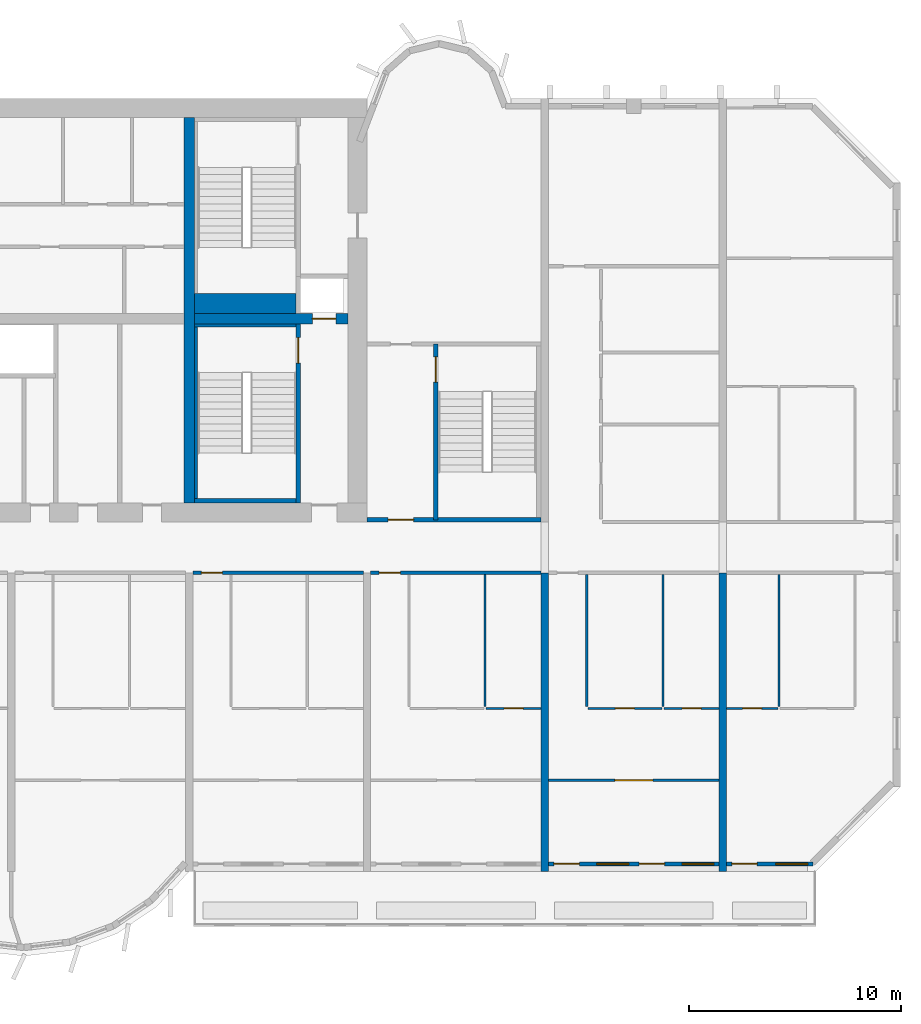
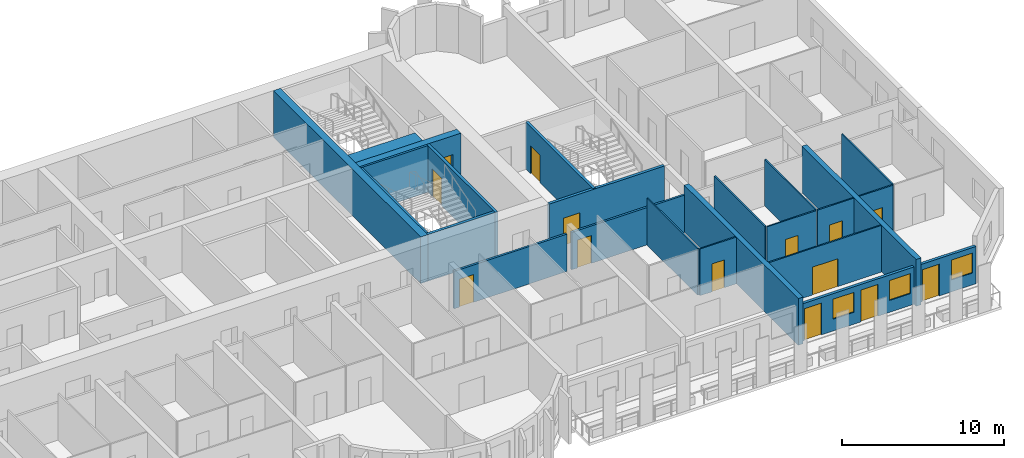
# One storey, part 9 of 15: 24 walls, 14 doors, 3 windows, 17 openings.
"""IFC4 building model written with IfcOpenShell, lengths in metres."""

from ifc_helpers import new_model, si_unit, direction, frame, frame_2d, origin, place, context, subcontext, project, spatial, rectangle, extrude, source, transform, mapped, material, layer, layer_set, type_object, element, fill, save


model = new_model("IFC4")

# Units and contexts
model_context = context("Model", 3, precision=1e-05, world=origin(), true_north=direction((0.0, 1.0)))
body_context = subcontext(model_context, "Body", "Model", "MODEL_VIEW")
ifc_project = project(units=[si_unit("LENGTHUNIT", "METRE"), si_unit("AREAUNIT", "SQUARE_METRE"), si_unit("VOLUMEUNIT", "CUBIC_METRE"), si_unit("PLANEANGLEUNIT", "RADIAN"), si_unit("MASSUNIT", "GRAM", prefix="KILO")], contexts=[model_context])

# Site, building, storey
site_placement = place(None, origin())
site = spatial("IfcSite", under=ifc_project, at=site_placement, CompositionType="ELEMENT")
building_placement = place(site_placement, origin())
building = spatial("IfcBuilding", under=site, at=building_placement, Name="Vanashikhar Sky Hotel", CompositionType="ELEMENT")
storey_placement = place(building_placement, frame((0.0, 0.0, 133.199951171875)))
storey = spatial("IfcBuildingStorey", under=building, at=storey_placement, Name="L32", CompositionType="ELEMENT", Elevation=133.199951171875)

# Wall
ifc_material_1 = material(Name="Concrete M70", Category="concrete")
ifc_layer_1 = layer(ifc_material_1, 0.5)
ifc_layer_set_1 = layer_set([ifc_layer_1], Name="RC core inner wall 500 Concrete M70")
wall_type_1 = type_object("IfcWallType", Name="RC core inner wall 500 Concrete M70", PredefinedType="SHEAR", material=ifc_layer_set_1)
shared_shape_1 = source(origin(), body_context, "Body", "SweptSolid", [
    extrude(rectangle(XDim=18.2001953125, YDim=0.5, at=frame_2d((9.10009765625, 0.0))), origin(), (0.0, 0.0, 1.0), 3.52001953125),
])
wall_1_placement = place(storey_placement, frame((67.199951171875, 22.89990234375, 0.0), z_axis=(0.0, 0.0, 1.0), x_axis=(0.0, 1.0, 0.0)))
element("IfcWall", 1, at=wall_1_placement, inside=storey, type_object=wall_type_1, Name="KW-L32-KX3", PredefinedType="SHEAR", context=body_context, shape_type="MappedRepresentation", body=[
    mapped(shared_shape_1, transform((0.0, 0.0, 0.0), scale=1.0)),
])

# Wall, opening, door
shared_shape_2 = source(origin(), body_context, "Body", "SweptSolid", [
    extrude(rectangle(XDim=7.25, YDim=0.5, at=frame_2d((3.625, 0.0))), origin(), (0.0, 0.0, 1.0), 3.52001953125),
])
wall_2_placement = place(storey_placement, frame((67.449951171875, 31.60009765625, 0.0), z_axis=(0.0, 0.0, 1.0), x_axis=(1.0, 0.0, 0.0)))
wall_2 = element("IfcWall", 2, at=wall_2_placement, inside=storey, type_object=wall_type_1, Name="KW-L32-KY4", PredefinedType="SHEAR", context=body_context, shape_type="MappedRepresentation", body=[
    mapped(shared_shape_2, transform((0.0, 0.0, 0.0), scale=1.0)),
])
shared_shape_3 = source(origin(), body_context, "Body", "SweptSolid", [
    extrude(rectangle(XDim=1.10009765625, YDim=2.10009765625, at=frame_2d((0.550048828125, 1.050048828125))), frame((0.0, 0.260009765625, 0.0), z_axis=(0.0, -1.0, 0.0), x_axis=(1.0, 0.0, 0.0)), (0.0, 0.0, 1.0), 0.52001953125),
])
opening_1_placement = place(wall_2_placement, frame((5.574951171875, 0.0, 0.0)))
opening_1 = element("IfcOpeningElement", 3, at=opening_1_placement, cuts=wall_2, Name="Opening LD", PredefinedType="OPENING", context=body_context, shape_type="MappedRepresentation", body=[
    mapped(shared_shape_3, transform((0.0, 0.0, 0.0), scale=1.0)),
])
ifc_material_2 = material(Name="Stainless steel", Category="steel")
door_type_1 = type_object("IfcDoorType", Name="Lift landing door 1100", OperationType="NOTDEFINED", PredefinedType="DOOR", material=ifc_material_2)
shared_shape_4 = source(origin(), body_context, "Body", "SweptSolid", [
    extrude(rectangle(XDim=1.10009765625, YDim=2.10009765625, at=frame_2d((0.550048828125, 1.050048828125))), frame((0.0, 0.02490234375, 0.0), z_axis=(0.0, -1.0, 0.0), x_axis=(1.0, 0.0, 0.0)), (0.0, 0.0, 1.0), 0.050048828125),
])
door_1_placement = place(opening_1_placement, origin())
door_1 = element("IfcDoor", 4, at=door_1_placement, inside=storey, type_object=door_type_1, Name="Lift landing door 1100", OperationType="SLIDING_TO_RIGHT", OverallHeight=2.10009765625, OverallWidth=1.10009765625, PredefinedType="DOOR", context=body_context, shape_type="MappedRepresentation", body=[
    mapped(shared_shape_4, transform((0.0, 0.0, 0.0), scale=1.0)),
])
fill(opening_1, door_1)

# Walls
ifc_layer_2 = layer(ifc_material_1, 0.35009765625)
ifc_layer_set_2 = layer_set([ifc_layer_2], Name="RC shear wall 350 Concrete M70")
wall_type_2 = type_object("IfcWallType", Name="RC shear wall 350 Concrete M70", PredefinedType="SHEAR", material=ifc_layer_set_2)
shared_shape_5 = source(origin(), body_context, "Body", "SweptSolid", [
    extrude(rectangle(XDim=14.10009765625, YDim=0.35009765625, at=frame_2d((7.050048828125, 0.0))), origin(), (0.0, 0.0, 1.0), 3.52001953125),
])
for number, where, z_axis, x_axis, name in (
    (5, (84.0, 5.5, 0.0), (0.0, 0.0, 1.0), (0.0, 1.0, 0.0), "CW-L32-XW11-1"),
    (6, (92.39990234375, 5.5, 0.0), (0.0, 0.0, 1.0), (0.0, 1.0, 0.0), "CW-L32-XW12-1"),
):
    element("IfcWall", number, at=place(storey_placement, frame(where, z_axis=z_axis, x_axis=x_axis)), inside=storey, type_object=wall_type_2, Name=name, PredefinedType="SHEAR", context=body_context, shape_type="MappedRepresentation", body=[
        mapped(shared_shape_5, transform((0.0, 0.0, 0.0), scale=1.0)),
    ])

# Wall, openings, window, door
ifc_material_3 = material(Name="Concrete M50", Category="concrete")
ifc_layer_3 = layer(ifc_material_3, 0.199951171875)
ifc_layer_set_3 = layer_set([ifc_layer_3], Name="Front window wall 200")
wall_type_3 = type_object("IfcWallType", Name="Front window wall 200", PredefinedType="SOLIDWALL", material=ifc_layer_set_3)
shared_shape_6 = source(origin(), body_context, "Body", "SweptSolid", [
    extrude(rectangle(XDim=4.080078125, YDim=0.199951171875, at=frame_2d((2.0400390625, 0.0))), origin(), (0.0, 0.0, 1.0), 2.820068359375),
])
wall_3_placement = place(storey_placement, frame((92.574951171875, 5.85009765625, 0.0), z_axis=(0.0, 0.0, 1.0), x_axis=(1.0, 0.0, 0.0)))
wall_3 = element("IfcWall", 7, at=wall_3_placement, inside=storey, type_object=wall_type_3, Name="Front window wall", PredefinedType="SOLIDWALL", context=body_context, shape_type="MappedRepresentation", body=[
    mapped(shared_shape_6, transform((0.0, 0.0, 0.0), scale=1.0)),
])
shared_shape_7 = source(origin(), body_context, "Body", "SweptSolid", [
    extrude(rectangle(XDim=1.199951171875, YDim=2.39990234375, at=frame_2d((0.60009765625, 1.199951171875))), frame((0.0, 0.10986328125, 0.0), z_axis=(0.0, -1.0, 0.0), x_axis=(1.0, 0.0, 0.0)), (0.0, 0.0, 1.0), 0.219970703125),
])
opening_2_placement = place(wall_3_placement, frame((0.25, 0.0, 0.0)))
opening_2 = element("IfcOpeningElement", 8, at=opening_2_placement, cuts=wall_3, Name="Opening BD-14", PredefinedType="OPENING", context=body_context, shape_type="MappedRepresentation", body=[
    mapped(shared_shape_7, transform((0.0, 0.0, 0.0), scale=1.0)),
])
shared_shape_8 = source(origin(), body_context, "Body", "SweptSolid", [
    extrude(rectangle(XDim=1.5, YDim=1.5, at=frame_2d((0.75, 0.75))), frame((0.0, 0.10986328125, 0.0), z_axis=(0.0, -1.0, 0.0), x_axis=(1.0, 0.0, 0.0)), (0.0, 0.0, 1.0), 0.219970703125),
])
opening_3_placement = place(wall_3_placement, frame((2.330078125, 0.0, 0.89990234375)))
opening_3 = element("IfcOpeningElement", 9, at=opening_3_placement, cuts=wall_3, Name="Opening WN-1", PredefinedType="OPENING", context=body_context, shape_type="MappedRepresentation", body=[
    mapped(shared_shape_8, transform((0.0, 0.0, 0.0), scale=1.0)),
])
ifc_material_4 = material(Name="Glass", Category="glass")
window_type = type_object("IfcWindowType", Name="Window 1500 x 1500", PartitioningType="SINGLE_PANEL", PredefinedType="WINDOW", material=ifc_material_4)
shared_shape_9 = source(origin(), body_context, "Body", "SweptSolid", [
    extrude(rectangle(XDim=1.5, YDim=1.5, at=frame_2d((0.75, 0.75))), frame((0.0, 0.030029296875, 0.0), z_axis=(0.0, -1.0, 0.0), x_axis=(1.0, 0.0, 0.0)), (0.0, 0.0, 1.0), 0.06005859375),
])
window_1_placement = place(opening_3_placement, origin())
window_1 = element("IfcWindow", 10, at=window_1_placement, inside=storey, type_object=window_type, Name="Window WN-1", OverallHeight=1.5, OverallWidth=1.5, PartitioningType="SINGLE_PANEL", PredefinedType="WINDOW", context=body_context, shape_type="MappedRepresentation", body=[
    mapped(shared_shape_9, transform((0.0, 0.0, 0.0), scale=1.0)),
])
fill(opening_3, window_1)
ifc_material_5 = material(Name="Aluminium", Category="aluminium")
door_type_2 = type_object("IfcDoorType", Name="Balcony sliding door 1200 x 2400", OperationType="NOTDEFINED", PredefinedType="DOOR", material=ifc_material_5)
shared_shape_10 = source(origin(), body_context, "Body", "SweptSolid", [
    extrude(rectangle(XDim=1.199951171875, YDim=2.39990234375, at=frame_2d((0.60009765625, 1.199951171875))), frame((0.0, 0.02490234375, 0.0), z_axis=(0.0, -1.0, 0.0), x_axis=(1.0, 0.0, 0.0)), (0.0, 0.0, 1.0), 0.050048828125),
])
door_2_placement = place(opening_2_placement, origin())
door_2 = element("IfcDoor", 11, at=door_2_placement, inside=storey, type_object=door_type_2, Name="Balcony sliding door", OperationType="SLIDING_TO_RIGHT", OverallHeight=2.39990234375, OverallWidth=1.199951171875, PredefinedType="DOOR", context=body_context, shape_type="MappedRepresentation", body=[
    mapped(shared_shape_10, transform((0.0, 0.0, 0.0), scale=1.0)),
])
fill(opening_2, door_2)

# Wall, openings, windows, doors
shared_shape_11 = source(origin(), body_context, "Body", "SweptSolid", [
    extrude(rectangle(XDim=8.050048828125, YDim=0.199951171875, at=frame_2d((4.02490234375, 0.0))), origin(), (0.0, 0.0, 1.0), 2.820068359375),
])
wall_4_placement = place(storey_placement, frame((84.175048828125, 5.85009765625, 0.0), z_axis=(0.0, 0.0, 1.0), x_axis=(1.0, 0.0, 0.0)))
wall_4 = element("IfcWall", 12, at=wall_4_placement, inside=storey, type_object=wall_type_3, Name="Front window wall", PredefinedType="SOLIDWALL", context=body_context, shape_type="MappedRepresentation", body=[
    mapped(shared_shape_11, transform((0.0, 0.0, 0.0), scale=1.0)),
])
opening_4_placement = place(wall_4_placement, frame((0.25, 0.0, 0.0)))
opening_4 = element("IfcOpeningElement", 13, at=opening_4_placement, cuts=wall_4, Name="Opening BD-12", PredefinedType="OPENING", context=body_context, shape_type="MappedRepresentation", body=[
    mapped(shared_shape_7, transform((0.0, 0.0, 0.0), scale=1.0)),
])
opening_5_placement = place(wall_4_placement, frame((2.27490234375, 0.0, 0.89990234375)))
opening_5 = element("IfcOpeningElement", 14, at=opening_5_placement, cuts=wall_4, Name="Opening WN-1", PredefinedType="OPENING", context=body_context, shape_type="MappedRepresentation", body=[
    mapped(shared_shape_8, transform((0.0, 0.0, 0.0), scale=1.0)),
])
opening_6_placement = place(wall_4_placement, frame((4.27490234375, 0.0, 0.0)))
opening_6 = element("IfcOpeningElement", 15, at=opening_6_placement, cuts=wall_4, Name="Opening BD-13", PredefinedType="OPENING", context=body_context, shape_type="MappedRepresentation", body=[
    mapped(shared_shape_7, transform((0.0, 0.0, 0.0), scale=1.0)),
])
opening_7_placement = place(wall_4_placement, frame((6.300048828125, 0.0, 0.89990234375)))
opening_7 = element("IfcOpeningElement", 16, at=opening_7_placement, cuts=wall_4, Name="Opening WN-1", PredefinedType="OPENING", context=body_context, shape_type="MappedRepresentation", body=[
    mapped(shared_shape_8, transform((0.0, 0.0, 0.0), scale=1.0)),
])
window_2_placement = place(opening_5_placement, origin())
window_2 = element("IfcWindow", 17, at=window_2_placement, inside=storey, type_object=window_type, Name="Window WN-1", OverallHeight=1.5, OverallWidth=1.5, PartitioningType="SINGLE_PANEL", PredefinedType="WINDOW", context=body_context, shape_type="MappedRepresentation", body=[
    mapped(shared_shape_9, transform((0.0, 0.0, 0.0), scale=1.0)),
])
fill(opening_5, window_2)
window_3_placement = place(opening_7_placement, origin())
window_3 = element("IfcWindow", 18, at=window_3_placement, inside=storey, type_object=window_type, Name="Window WN-1", OverallHeight=1.5, OverallWidth=1.5, PartitioningType="SINGLE_PANEL", PredefinedType="WINDOW", context=body_context, shape_type="MappedRepresentation", body=[
    mapped(shared_shape_9, transform((0.0, 0.0, 0.0), scale=1.0)),
])
fill(opening_7, window_3)
door_3_placement = place(opening_4_placement, origin())
door_3 = element("IfcDoor", 19, at=door_3_placement, inside=storey, type_object=door_type_2, Name="Balcony sliding door", OperationType="SLIDING_TO_RIGHT", OverallHeight=2.39990234375, OverallWidth=1.199951171875, PredefinedType="DOOR", context=body_context, shape_type="MappedRepresentation", body=[
    mapped(shared_shape_10, transform((0.0, 0.0, 0.0), scale=1.0)),
])
fill(opening_4, door_3)
door_4_placement = place(opening_6_placement, origin())
door_4 = element("IfcDoor", 20, at=door_4_placement, inside=storey, type_object=door_type_2, Name="Balcony sliding door", OperationType="SLIDING_TO_LEFT", OverallHeight=2.39990234375, OverallWidth=1.199951171875, PredefinedType="DOOR", context=body_context, shape_type="MappedRepresentation", body=[
    mapped(shared_shape_10, transform((0.0, 0.0, 0.0), scale=1.0)),
])
fill(opening_6, door_4)

# Wall, opening, door
ifc_layer_4 = layer(ifc_material_3, 0.199951171875)
ifc_layer_set_4 = layer_set([ifc_layer_4], Name="Stair wall 200")
wall_type_4 = type_object("IfcWallType", Name="Stair wall 200", PredefinedType="SOLIDWALL", material=ifc_layer_set_4)
shared_shape_12 = source(origin(), body_context, "Body", "SweptSolid", [
    extrude(rectangle(XDim=8.2998046875, YDim=0.199951171875, at=frame_2d((4.14990234375, 0.0))), origin(), (0.0, 0.0, 1.0), 3.52001953125),
])
wall_5_placement = place(storey_placement, frame((78.85009765625, 22.10009765625, 0.0), z_axis=(0.0, 0.0, 1.0), x_axis=(0.0, 1.0, 0.0)))
wall_5 = element("IfcWall", 21, at=wall_5_placement, inside=storey, type_object=wall_type_4, Name="Stair wall 200", PredefinedType="SOLIDWALL", context=body_context, shape_type="MappedRepresentation", body=[
    mapped(shared_shape_12, transform((0.0, 0.0, 0.0), scale=1.0)),
])
shared_shape_13 = source(origin(), body_context, "Body", "SweptSolid", [
    extrude(rectangle(XDim=1.199951171875, YDim=2.10009765625, at=frame_2d((0.60009765625, 1.050048828125))), frame((0.0, 0.10986328125, 0.0), z_axis=(0.0, -1.0, 0.0), x_axis=(1.0, 0.0, 0.0)), (0.0, 0.0, 1.0), 0.219970703125),
])
opening_8_placement = place(wall_5_placement, frame((6.5, 0.0, 0.0)))
opening_8 = element("IfcOpeningElement", 22, at=opening_8_placement, cuts=wall_5, Name="Opening DC-1", PredefinedType="OPENING", context=body_context, shape_type="MappedRepresentation", body=[
    mapped(shared_shape_13, transform((0.0, 0.0, 0.0), scale=1.0)),
])
ifc_material_6 = material(Name="Steel", Category="steel")
door_type_3 = type_object("IfcDoorType", Name="Stair door 1200 FD120", OperationType="NOTDEFINED", PredefinedType="DOOR", material=ifc_material_6)
shared_shape_14 = source(origin(), body_context, "Body", "SweptSolid", [
    extrude(rectangle(XDim=1.199951171875, YDim=2.10009765625, at=frame_2d((0.60009765625, 1.050048828125))), frame((0.0, 0.02490234375, 0.0), z_axis=(0.0, -1.0, 0.0), x_axis=(1.0, 0.0, 0.0)), (0.0, 0.0, 1.0), 0.050048828125),
])
door_5_placement = place(opening_8_placement, origin())
door_5 = element("IfcDoor", 23, at=door_5_placement, inside=storey, type_object=door_type_3, Name="Stair door 1200 FD120", OperationType="SINGLE_SWING_RIGHT", OverallHeight=2.10009765625, OverallWidth=1.199951171875, PredefinedType="DOOR", context=body_context, shape_type="MappedRepresentation", body=[
    mapped(shared_shape_14, transform((0.0, 0.0, 0.0), scale=1.0)),
])
fill(opening_8, door_5)

shared_shape_15 = source(origin(), body_context, "Body", "SweptSolid", [
    extrude(rectangle(XDim=8.4501953125, YDim=0.199951171875, at=frame_2d((4.22509765625, 0.0))), origin(), (0.0, 0.0, 1.0), 3.52001953125),
])
wall_6_placement = place(storey_placement, frame((72.35009765625, 22.89990234375, 0.0), z_axis=(0.0, 0.0, 1.0), x_axis=(0.0, 1.0, 0.0)))
wall_6 = element("IfcWall", 24, at=wall_6_placement, inside=storey, type_object=wall_type_4, Name="Stair wall 200", PredefinedType="SOLIDWALL", context=body_context, shape_type="MappedRepresentation", body=[
    mapped(shared_shape_15, transform((0.0, 0.0, 0.0), scale=1.0)),
])
opening_9_placement = place(wall_6_placement, frame((6.60009765625, 0.0, 0.0)))
opening_9 = element("IfcOpeningElement", 25, at=opening_9_placement, cuts=wall_6, Name="Opening DC-1", PredefinedType="OPENING", context=body_context, shape_type="MappedRepresentation", body=[
    mapped(shared_shape_13, transform((0.0, 0.0, 0.0), scale=1.0)),
])
door_6_placement = place(opening_9_placement, origin())
door_6 = element("IfcDoor", 26, at=door_6_placement, inside=storey, type_object=door_type_3, Name="Stair door 1200 FD120", OperationType="SINGLE_SWING_LEFT", OverallHeight=2.10009765625, OverallWidth=1.199951171875, PredefinedType="DOOR", context=body_context, shape_type="MappedRepresentation", body=[
    mapped(shared_shape_14, transform((0.0, 0.0, 0.0), scale=1.0)),
])
fill(opening_9, door_6)

shared_shape_16 = source(origin(), body_context, "Body", "SweptSolid", [
    extrude(rectangle(XDim=8.224853515625, YDim=0.199951171875, at=frame_2d((4.1123046875, 0.0))), origin(), (0.0, 0.0, 1.0), 3.52001953125),
])
wall_7_placement = place(storey_placement, frame((83.824951171875, 22.10009765625, 0.0), z_axis=(0.0, 0.0, 1.0), x_axis=(-1.0, 0.0, 0.0)))
wall_7 = element("IfcWall", 27, at=wall_7_placement, inside=storey, type_object=wall_type_4, Name="Stair wall 200", PredefinedType="SOLIDWALL", context=body_context, shape_type="MappedRepresentation", body=[
    mapped(shared_shape_16, transform((0.0, 0.0, 0.0), scale=1.0)),
])
opening_10_placement = place(wall_7_placement, frame((6.02490234375, 0.0, 0.0)))
opening_10 = element("IfcOpeningElement", 28, at=opening_10_placement, cuts=wall_7, Name="Opening DC-2", PredefinedType="OPENING", context=body_context, shape_type="MappedRepresentation", body=[
    mapped(shared_shape_13, transform((0.0, 0.0, 0.0), scale=1.0)),
])
door_type_4 = type_object("IfcDoorType", Name="Firefighting lobby door 1200 FD120", OperationType="NOTDEFINED", PredefinedType="DOOR", material=ifc_material_6)
door_7_placement = place(opening_10_placement, origin())
door_7 = element("IfcDoor", 29, at=door_7_placement, inside=storey, type_object=door_type_4, Name="Firefighting lobby door 1200 FD120", OperationType="SINGLE_SWING_RIGHT", OverallHeight=2.10009765625, OverallWidth=1.199951171875, PredefinedType="DOOR", context=body_context, shape_type="MappedRepresentation", body=[
    mapped(shared_shape_14, transform((0.0, 0.0, 0.0), scale=1.0)),
])
fill(opening_10, door_7)

# Walls
ifc_layer_5 = layer(ifc_material_3, 0.199951171875)
ifc_layer_set_5 = layer_set([ifc_layer_5], Name="Stair infill wall 200")
wall_type_5 = type_object("IfcWallType", Name="Stair infill wall 200", PredefinedType="SOLIDWALL", material=ifc_layer_set_5)
shared_shape_17 = source(origin(), body_context, "Body", "SweptSolid", [
    extrude(rectangle(XDim=4.800048828125, YDim=0.199951171875, at=frame_2d((2.39990234375, 0.0))), origin(), (0.0, 0.0, 1.0), 3.52001953125),
])
wall_8_placement = place(storey_placement, frame((67.449951171875, 23.0, 0.0), z_axis=(0.0, 0.0, 1.0), x_axis=(1.0, 0.0, 0.0)))
element("IfcWall", 30, at=wall_8_placement, inside=storey, type_object=wall_type_5, Name="Stair infill wall 200", PredefinedType="SOLIDWALL", context=body_context, shape_type="MappedRepresentation", body=[
    mapped(shared_shape_17, transform((0.0, 0.0, 0.0), scale=1.0)),
])
ifc_layer_6 = layer(ifc_material_3, 0.14990234375)
ifc_layer_set_6 = layer_set([ifc_layer_6], Name="Stair infill wall 150")
wall_type_6 = type_object("IfcWallType", Name="Stair infill wall 150", PredefinedType="SOLIDWALL", material=ifc_layer_set_6)
shared_shape_18 = source(origin(), body_context, "Body", "SweptSolid", [
    extrude(rectangle(XDim=4.800048828125, YDim=0.14990234375, at=frame_2d((2.39990234375, 0.0))), origin(), (0.0, 0.0, 1.0), 3.52001953125),
])
wall_9_placement = place(storey_placement, frame((67.449951171875, 31.27490234375, 0.0), z_axis=(0.0, 0.0, 1.0), x_axis=(1.0, 0.0, 0.0)))
element("IfcWall", 31, at=wall_9_placement, inside=storey, type_object=wall_type_6, Name="Stair infill wall 150", PredefinedType="SOLIDWALL", context=body_context, shape_type="MappedRepresentation", body=[
    mapped(shared_shape_18, transform((0.0, 0.0, 0.0), scale=1.0)),
])
shared_shape_19 = source(origin(), body_context, "Body", "SweptSolid", [
    extrude(rectangle(XDim=8.099853515625, YDim=0.14990234375, at=frame_2d((4.0498046875, 0.0))), origin(), (0.0, 0.0, 1.0), 3.52001953125),
])
wall_10_placement = place(storey_placement, frame((67.52490234375, 23.10009765625, 0.0), z_axis=(0.0, 0.0, 1.0), x_axis=(0.0, 1.0, 0.0)))
element("IfcWall", 32, at=wall_10_placement, inside=storey, type_object=wall_type_6, Name="Stair infill wall 150", PredefinedType="SOLIDWALL", context=body_context, shape_type="MappedRepresentation", body=[
    mapped(shared_shape_19, transform((0.0, 0.0, 0.0), scale=1.0)),
])
ifc_layer_7 = layer(ifc_material_3, 0.949951171875)
ifc_layer_set_7 = layer_set([ifc_layer_7], Name="Stair infill wall 950")
wall_type_7 = type_object("IfcWallType", Name="Stair infill wall 950", PredefinedType="SOLIDWALL", material=ifc_layer_set_7)
shared_shape_20 = source(origin(), body_context, "Body", "SweptSolid", [
    extrude(rectangle(XDim=4.800048828125, YDim=0.949951171875, at=frame_2d((2.39990234375, 0.0))), origin(), (0.0, 0.0, 1.0), 3.52001953125),
])
wall_11_placement = place(storey_placement, frame((67.449951171875, 32.324951171875, 0.0), z_axis=(0.0, 0.0, 1.0), x_axis=(1.0, 0.0, 0.0)))
element("IfcWall", 33, at=wall_11_placement, inside=storey, type_object=wall_type_7, Name="Stair infill wall 950", PredefinedType="SOLIDWALL", context=body_context, shape_type="MappedRepresentation", body=[
    mapped(shared_shape_20, transform((0.0, 0.0, 0.0), scale=1.0)),
])

# Wall, opening, door
ifc_material_7 = material(Name="Gypsum plasterboard partition")
ifc_layer_8 = layer(ifc_material_7, 0.10009765625)
ifc_layer_set_8 = layer_set([ifc_layer_8], Name="Wet room partition 100")
wall_type_8 = type_object("IfcWallType", Name="Wet room partition 100", PredefinedType="PARTITIONING", material=ifc_layer_set_8)
shared_shape_21 = source(origin(), body_context, "Body", "SweptSolid", [
    extrude(rectangle(XDim=3.5, YDim=0.10009765625, at=frame_2d((1.75, 0.0))), origin(), (0.0, 0.0, 1.0), 3.52001953125),
])
wall_12_placement = place(storey_placement, frame((86.02490234375, 13.199951171875, 0.0), z_axis=(0.0, 0.0, 1.0), x_axis=(1.0, 0.0, 0.0)))
wall_12 = element("IfcWall", 34, at=wall_12_placement, inside=storey, type_object=wall_type_8, Name="W-L32-PW061", PredefinedType="PARTITIONING", context=body_context, shape_type="MappedRepresentation", body=[
    mapped(shared_shape_21, transform((0.0, 0.0, 0.0), scale=1.0)),
])
shared_shape_22 = source(origin(), body_context, "Body", "SweptSolid", [
    extrude(rectangle(XDim=0.89990234375, YDim=2.10009765625, at=frame_2d((0.449951171875, 1.050048828125))), frame((0.0, 0.06005859375, 0.0), z_axis=(0.0, -1.0, 0.0), x_axis=(1.0, 0.0, 0.0)), (0.0, 0.0, 1.0), 0.1201171875),
])
opening_11_placement = place(wall_12_placement, frame((1.300048828125, 0.0, 0.0)))
opening_11 = element("IfcOpeningElement", 35, at=opening_11_placement, cuts=wall_12, Name="Opening D-02", PredefinedType="OPENING", context=body_context, shape_type="MappedRepresentation", body=[
    mapped(shared_shape_22, transform((0.0, 0.0, 0.0), scale=1.0)),
])
ifc_material_8 = material(Name="Timber door", Category="wood")
door_type_5 = type_object("IfcDoorType", Name="Internal door 900", OperationType="NOTDEFINED", PredefinedType="DOOR", material=ifc_material_8)
shared_shape_23 = source(origin(), body_context, "Body", "SweptSolid", [
    extrude(rectangle(XDim=0.89990234375, YDim=2.10009765625, at=frame_2d((0.449951171875, 1.050048828125))), frame((0.0, 0.02490234375, 0.0), z_axis=(0.0, -1.0, 0.0), x_axis=(1.0, 0.0, 0.0)), (0.0, 0.0, 1.0), 0.050048828125),
])
door_8_placement = place(opening_11_placement, origin())
door_8 = element("IfcDoor", 36, at=door_8_placement, inside=storey, type_object=door_type_5, Name="D-L32-038", OperationType="SINGLE_SWING_LEFT", OverallHeight=2.10009765625, OverallWidth=0.89990234375, PredefinedType="DOOR", context=body_context, shape_type="MappedRepresentation", body=[
    mapped(shared_shape_23, transform((0.0, 0.0, 0.0), scale=1.0)),
])
fill(opening_11, door_8)

# Walls
shared_shape_24 = source(origin(), body_context, "Body", "SweptSolid", [
    extrude(rectangle(XDim=6.25, YDim=0.10009765625, at=frame_2d((3.125, 0.0))), origin(), (0.0, 0.0, 1.0), 3.52001953125),
])
for number, where, z_axis, x_axis, name in (
    (37, (81.175048828125, 13.27490234375, 0.0), (0.0, 0.0, 1.0), (0.0, 1.0, 0.0), "W-L32-PW054"),
    (38, (85.97509765625, 13.27490234375, 0.0), (0.0, 0.0, 1.0), (0.0, 1.0, 0.0), "W-L32-PW059"),
    (39, (89.574951171875, 13.27490234375, 0.0), (0.0, 0.0, 1.0), (0.0, 1.0, 0.0), "W-L32-PW060"),
    (40, (95.050048828125, 13.27490234375, 0.0), (0.0, 0.0, 1.0), (0.0, 1.0, 0.0), "W-L32-PW066"),
):
    element("IfcWall", number, at=place(storey_placement, frame(where, z_axis=z_axis, x_axis=x_axis)), inside=storey, type_object=wall_type_8, Name=name, PredefinedType="PARTITIONING", context=body_context, shape_type="MappedRepresentation", body=[
        mapped(shared_shape_24, transform((0.0, 0.0, 0.0), scale=1.0)),
    ])

# Wall, opening, door
shared_shape_25 = source(origin(), body_context, "Body", "SweptSolid", [
    extrude(rectangle(XDim=2.60009765625, YDim=0.10009765625, at=frame_2d((1.300048828125, 0.0))), origin(), (0.0, 0.0, 1.0), 3.52001953125),
])
wall_13_placement = place(storey_placement, frame((89.625, 13.199951171875, 0.0), z_axis=(0.0, 0.0, 1.0), x_axis=(1.0, 0.0, 0.0)))
wall_13 = element("IfcWall", 41, at=wall_13_placement, inside=storey, type_object=wall_type_8, Name="W-L32-PW062", PredefinedType="PARTITIONING", context=body_context, shape_type="MappedRepresentation", body=[
    mapped(shared_shape_25, transform((0.0, 0.0, 0.0), scale=1.0)),
])
opening_12_placement = place(wall_13_placement, frame((0.85009765625, 0.0, 0.0)))
opening_12 = element("IfcOpeningElement", 42, at=opening_12_placement, cuts=wall_13, Name="Opening D-02", PredefinedType="OPENING", context=body_context, shape_type="MappedRepresentation", body=[
    mapped(shared_shape_22, transform((0.0, 0.0, 0.0), scale=1.0)),
])
door_9_placement = place(opening_12_placement, origin())
door_9 = element("IfcDoor", 43, at=door_9_placement, inside=storey, type_object=door_type_5, Name="D-L32-039", OperationType="SINGLE_SWING_LEFT", OverallHeight=2.10009765625, OverallWidth=0.89990234375, PredefinedType="DOOR", context=body_context, shape_type="MappedRepresentation", body=[
    mapped(shared_shape_23, transform((0.0, 0.0, 0.0), scale=1.0)),
])
fill(opening_12, door_9)

ifc_layer_9 = layer(ifc_material_7, 0.14990234375)
ifc_layer_set_9 = layer_set([ifc_layer_9], Name="Corridor and demising partition 150")
wall_type_9 = type_object("IfcWallType", Name="Corridor and demising partition 150", PredefinedType="PARTITIONING", material=ifc_layer_set_9)
shared_shape_26 = source(origin(), body_context, "Body", "SweptSolid", [
    extrude(rectangle(XDim=8.050048828125, YDim=0.14990234375, at=frame_2d((4.02490234375, 0.0))), origin(), (0.0, 0.0, 1.0), 2.820068359375),
])
wall_14_placement = place(storey_placement, frame((67.375, 19.60009765625, 0.0), z_axis=(0.0, 0.0, 1.0), x_axis=(1.0, 0.0, 0.0)))
wall_14 = element("IfcWall", 44, at=wall_14_placement, inside=storey, type_object=wall_type_9, Name="W-L32-PW052", PredefinedType="PARTITIONING", context=body_context, shape_type="MappedRepresentation", body=[
    mapped(shared_shape_26, transform((0.0, 0.0, 0.0), scale=1.0)),
])
shared_shape_27 = source(origin(), body_context, "Body", "SweptSolid", [
    extrude(rectangle(XDim=1.0, YDim=2.10009765625, at=frame_2d((0.5, 1.050048828125))), frame((0.0, 0.0849609375, 0.0), z_axis=(0.0, -1.0, 0.0), x_axis=(1.0, 0.0, 0.0)), (0.0, 0.0, 1.0), 0.169921875),
])
opening_13_placement = place(wall_14_placement, frame((0.39990234375, 0.0, 0.0)))
opening_13 = element("IfcOpeningElement", 45, at=opening_13_placement, cuts=wall_14, Name="Opening D-01", PredefinedType="OPENING", context=body_context, shape_type="MappedRepresentation", body=[
    mapped(shared_shape_27, transform((0.0, 0.0, 0.0), scale=1.0)),
])
ifc_material_9 = material(Name="Timber fire door", Category="wood")
door_type_6 = type_object("IfcDoorType", Name="Guest entry door 1000 FD30S", OperationType="NOTDEFINED", PredefinedType="DOOR", material=ifc_material_9)
shared_shape_28 = source(origin(), body_context, "Body", "SweptSolid", [
    extrude(rectangle(XDim=1.0, YDim=2.10009765625, at=frame_2d((0.5, 1.050048828125))), frame((0.0, 0.02490234375, 0.0), z_axis=(0.0, -1.0, 0.0), x_axis=(1.0, 0.0, 0.0)), (0.0, 0.0, 1.0), 0.050048828125),
])
door_10_placement = place(opening_13_placement, origin())
door_10 = element("IfcDoor", 46, at=door_10_placement, inside=storey, type_object=door_type_6, Name="D-L32-033", OperationType="SINGLE_SWING_LEFT", OverallHeight=2.10009765625, OverallWidth=1.0, PredefinedType="DOOR", context=body_context, shape_type="MappedRepresentation", body=[
    mapped(shared_shape_28, transform((0.0, 0.0, 0.0), scale=1.0)),
])
fill(opening_13, door_10)

wall_15_placement = place(storey_placement, frame((75.77490234375, 19.60009765625, 0.0), z_axis=(0.0, 0.0, 1.0), x_axis=(1.0, 0.0, 0.0)))
wall_15 = element("IfcWall", 47, at=wall_15_placement, inside=storey, type_object=wall_type_9, Name="W-L32-PW058", PredefinedType="PARTITIONING", context=body_context, shape_type="MappedRepresentation", body=[
    mapped(shared_shape_26, transform((0.0, 0.0, 0.0), scale=1.0)),
])
opening_14_placement = place(wall_15_placement, frame((0.39990234375, 0.0, 0.0)))
opening_14 = element("IfcOpeningElement", 48, at=opening_14_placement, cuts=wall_15, Name="Opening D-01", PredefinedType="OPENING", context=body_context, shape_type="MappedRepresentation", body=[
    mapped(shared_shape_27, transform((0.0, 0.0, 0.0), scale=1.0)),
])
door_11_placement = place(opening_14_placement, origin())
door_11 = element("IfcDoor", 49, at=door_11_placement, inside=storey, type_object=door_type_6, Name="D-L32-037", OperationType="SINGLE_SWING_LEFT", OverallHeight=2.10009765625, OverallWidth=1.0, PredefinedType="DOOR", context=body_context, shape_type="MappedRepresentation", body=[
    mapped(shared_shape_28, transform((0.0, 0.0, 0.0), scale=1.0)),
])
fill(opening_14, door_11)

shared_shape_29 = source(origin(), body_context, "Body", "SweptSolid", [
    extrude(rectangle(XDim=2.599853515625, YDim=0.10009765625, at=frame_2d((1.2998046875, 0.0))), origin(), (0.0, 0.0, 1.0), 3.52001953125),
])
wall_16_placement = place(storey_placement, frame((81.22509765625, 13.199951171875, 0.0), z_axis=(0.0, 0.0, 1.0), x_axis=(1.0, 0.0, 0.0)))
wall_16 = element("IfcWall", 50, at=wall_16_placement, inside=storey, type_object=wall_type_8, Name="W-L32-PW056", PredefinedType="PARTITIONING", context=body_context, shape_type="MappedRepresentation", body=[
    mapped(shared_shape_29, transform((0.0, 0.0, 0.0), scale=1.0)),
])
opening_15_placement = place(wall_16_placement, frame((0.85009765625, 0.0, 0.0)))
opening_15 = element("IfcOpeningElement", 51, at=opening_15_placement, cuts=wall_16, Name="Opening D-02", PredefinedType="OPENING", context=body_context, shape_type="MappedRepresentation", body=[
    mapped(shared_shape_22, transform((0.0, 0.0, 0.0), scale=1.0)),
])
door_12_placement = place(opening_15_placement, origin())
door_12 = element("IfcDoor", 52, at=door_12_placement, inside=storey, type_object=door_type_5, Name="D-L32-035", OperationType="SINGLE_SWING_LEFT", OverallHeight=2.10009765625, OverallWidth=0.89990234375, PredefinedType="DOOR", context=body_context, shape_type="MappedRepresentation", body=[
    mapped(shared_shape_23, transform((0.0, 0.0, 0.0), scale=1.0)),
])
fill(opening_15, door_12)

shared_shape_30 = source(origin(), body_context, "Body", "SweptSolid", [
    extrude(rectangle(XDim=8.050048828125, YDim=0.10009765625, at=frame_2d((4.02490234375, 0.0))), origin(), (0.0, 0.0, 1.0), 3.52001953125),
])
wall_17_placement = place(storey_placement, frame((84.175048828125, 9.802001953125, 0.0), z_axis=(0.0, 0.0, 1.0), x_axis=(1.0, 0.0, 0.0)))
wall_17 = element("IfcWall", 53, at=wall_17_placement, inside=storey, type_object=wall_type_8, Name="W-L32-PW063", PredefinedType="PARTITIONING", context=body_context, shape_type="MappedRepresentation", body=[
    mapped(shared_shape_30, transform((0.0, 0.0, 0.0), scale=1.0)),
])
shared_shape_31 = source(origin(), body_context, "Body", "SweptSolid", [
    extrude(rectangle(XDim=1.800048828125, YDim=2.10009765625, at=frame_2d((0.89990234375, 1.050048828125))), frame((0.0, 0.06005859375, 0.0), z_axis=(0.0, -1.0, 0.0), x_axis=(1.0, 0.0, 0.0)), (0.0, 0.0, 1.0), 0.1201171875),
])
opening_16_placement = place(wall_17_placement, frame((3.125, 0.0, 0.0)))
opening_16 = element("IfcOpeningElement", 54, at=opening_16_placement, cuts=wall_17, Name="Opening D-08", PredefinedType="OPENING", context=body_context, shape_type="MappedRepresentation", body=[
    mapped(shared_shape_31, transform((0.0, 0.0, 0.0), scale=1.0)),
])
door_type_7 = type_object("IfcDoorType", Name="Double leaf door 1800", OperationType="NOTDEFINED", PredefinedType="DOOR", material=ifc_material_8)
shared_shape_32 = source(origin(), body_context, "Body", "SweptSolid", [
    extrude(rectangle(XDim=1.800048828125, YDim=2.10009765625, at=frame_2d((0.89990234375, 1.050048828125))), frame((0.0, 0.02490234375, 0.0), z_axis=(0.0, -1.0, 0.0), x_axis=(1.0, 0.0, 0.0)), (0.0, 0.0, 1.0), 0.050048828125),
])
door_13_placement = place(opening_16_placement, origin())
door_13 = element("IfcDoor", 55, at=door_13_placement, inside=storey, type_object=door_type_7, Name="D-L32-040", OperationType="DOUBLE_DOOR_SINGLE_SWING", OverallHeight=2.10009765625, OverallWidth=1.800048828125, PredefinedType="DOOR", context=body_context, shape_type="MappedRepresentation", body=[
    mapped(shared_shape_32, transform((0.0, 0.0, 0.0), scale=1.0)),
])
fill(opening_16, door_13)

shared_shape_33 = source(origin(), body_context, "Body", "SweptSolid", [
    extrude(rectangle(XDim=2.425048828125, YDim=0.10009765625, at=frame_2d((1.21240234375, 0.0))), origin(), (0.0, 0.0, 1.0), 3.52001953125),
])
wall_18_placement = place(storey_placement, frame((92.574951171875, 13.199951171875, 0.0), z_axis=(0.0, 0.0, 1.0), x_axis=(1.0, 0.0, 0.0)))
wall_18 = element("IfcWall", 56, at=wall_18_placement, inside=storey, type_object=wall_type_8, Name="W-L32-PW068", PredefinedType="PARTITIONING", context=body_context, shape_type="MappedRepresentation", body=[
    mapped(shared_shape_33, transform((0.0, 0.0, 0.0), scale=1.0)),
])
opening_17_placement = place(wall_18_placement, frame((0.762939453125, 0.0, 0.0)))
opening_17 = element("IfcOpeningElement", 57, at=opening_17_placement, cuts=wall_18, Name="Opening D-02", PredefinedType="OPENING", context=body_context, shape_type="MappedRepresentation", body=[
    mapped(shared_shape_22, transform((0.0, 0.0, 0.0), scale=1.0)),
])
door_14_placement = place(opening_17_placement, origin())
door_14 = element("IfcDoor", 58, at=door_14_placement, inside=storey, type_object=door_type_5, Name="D-L32-043", OperationType="SINGLE_SWING_RIGHT", OverallHeight=2.10009765625, OverallWidth=0.89990234375, PredefinedType="DOOR", context=body_context, shape_type="MappedRepresentation", body=[
    mapped(shared_shape_23, transform((0.0, 0.0, 0.0), scale=1.0)),
])
fill(opening_17, door_14)

save(model, "model.ifc")
